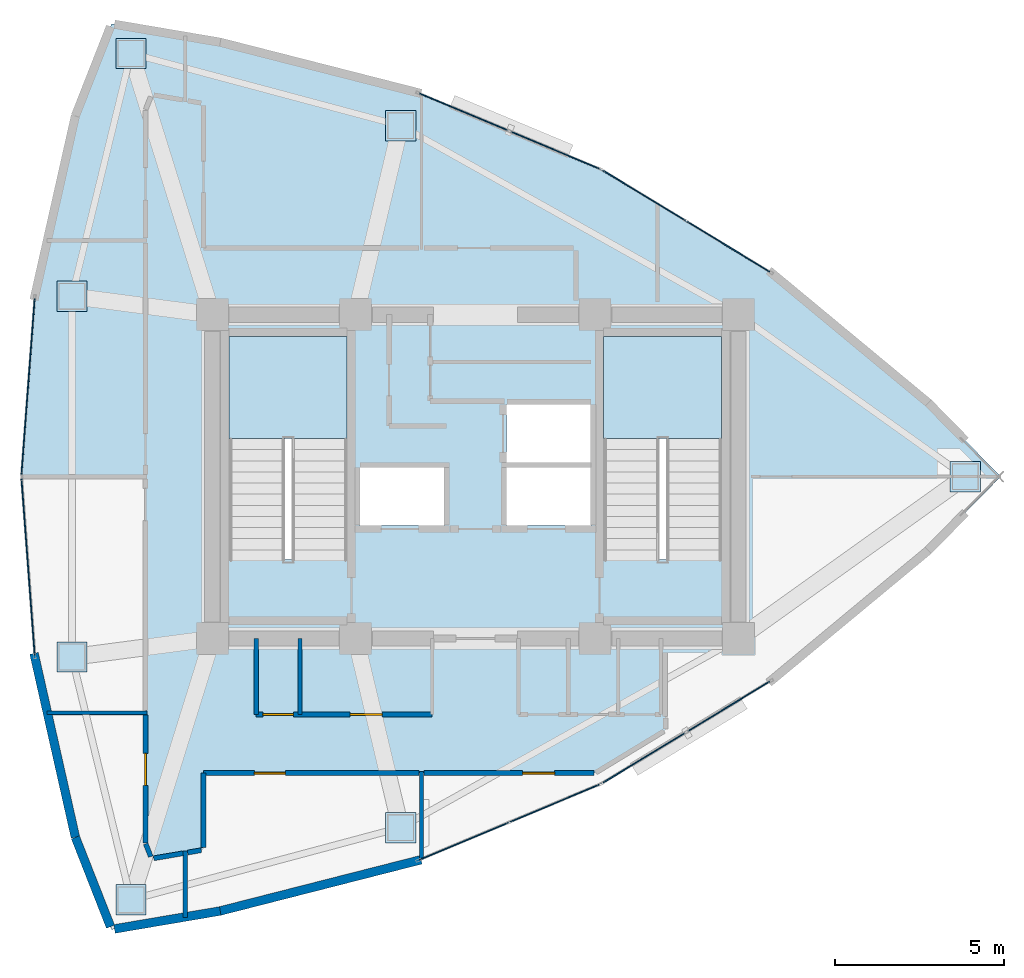
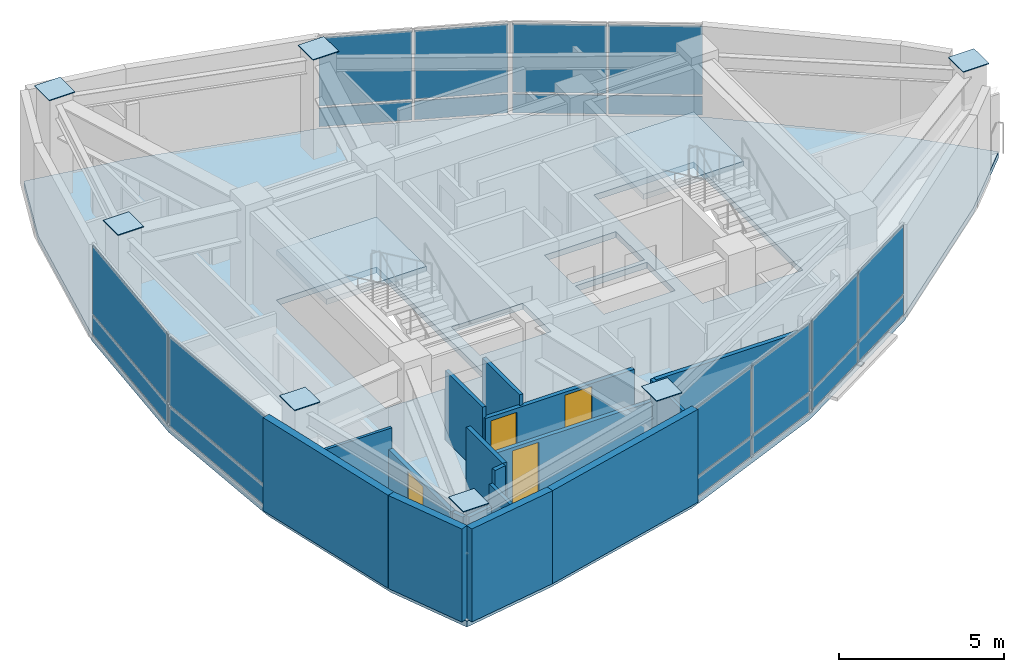
# One storey, part 11 of 15: 27 plates, 17 walls, 5 doors, 3 slabs, 5 openings, 8 elements without a shape of their own.
"""IFC4 building model written with IfcOpenShell, lengths in metres."""

import ifcopenshell
import ifcopenshell.guid

model = None  # the IFC model being written
_history = None  # IfcOwnerHistory: only IFC2X3 demands one
_inside = {}  # id of a spatial element -> (the spatial element, [elements in it])
_under = {}  # id of a project, library or spatial element -> (it, [spatial elements below it])
_declared = {}  # id of a project -> (the project, [libraries it declares])
_typed = {}  # id of a type object -> (the type object, [elements of that type])
_made_of = {}  # id of a material, layer set ... -> (it, [elements and type objects made of it])


def new_model(schema):
    """Start an empty IFC model of exactly this schema.

    Asked for "IFC4X3", IfcOpenShell would pick the latest addendum, in which some entities
    have other attributes; the version numbers below select the first issue.
    IFC2X3 requires an IfcOwnerHistory on every rooted entity: one is made here for all.
    """
    global model, _history
    if schema == "IFC4X3":
        model = ifcopenshell.file(schema_version=(4, 3, 0, 0))
    else:
        model = ifcopenshell.file(schema=schema)
    _inside.clear()
    _under.clear()
    _declared.clear()
    _typed.clear()
    _made_of.clear()
    _history = None
    if model.schema == "IFC2X3":
        org = make("IfcOrganization", Name="unknown")
        user = make(
            "IfcPersonAndOrganization",
            ThePerson=make("IfcPerson", FamilyName="unknown"),
            TheOrganization=org,
        )
        app = make(
            "IfcApplication",
            ApplicationDeveloper=org,
            Version="unknown",
            ApplicationFullName="unknown",
            ApplicationIdentifier="unknown",
        )
        _history = make(
            "IfcOwnerHistory",
            OwningUser=user,
            OwningApplication=app,
            ChangeAction="ADDED",
            CreationDate=0,
        )
    return model


def make(cls, **values):
    """One entity of the class cls with the attributes given. An attribute that is None is left unset."""
    return model.create_entity(
        cls, **{name: value for name, value in values.items() if value is not None}
    )


def rooted(cls, **values):
    """An entity with a GlobalId (a new one), such as an element, a storey or a relation."""
    return make(cls, GlobalId=ifcopenshell.guid.new(), OwnerHistory=_history, **values)


def si_unit(unit_type, name, prefix=None):
    """IfcSIUnit, for example si_unit("LENGTHUNIT", "METRE", prefix="MILLI")."""
    return make("IfcSIUnit", UnitType=unit_type, Prefix=prefix, Name=name)


def assignment(units):
    """IfcUnitAssignment: the units of a project."""
    return None if units is None else make("IfcUnitAssignment", Units=units)


def point(xyz):
    """IfcCartesianPoint."""
    return None if xyz is None else make("IfcCartesianPoint", Coordinates=xyz)


def direction(xyz):
    """IfcDirection."""
    return None if xyz is None else make("IfcDirection", DirectionRatios=xyz)


def frame(location, z_axis=None, x_axis=None):
    """IfcAxis2Placement3D, a coordinate frame: its origin and axes. An axis left out is left unset."""
    return make(
        "IfcAxis2Placement3D",
        Location=point(location),
        Axis=direction(z_axis),
        RefDirection=direction(x_axis),
    )


def frame_2d(location, x_axis=None):
    """IfcAxis2Placement2D, a coordinate frame in the plane: its origin and x axis."""
    return make(
        "IfcAxis2Placement2D", Location=point(location), RefDirection=direction(x_axis)
    )


def origin():
    """The frame at (0, 0, 0) with its axes left unset."""
    return frame((0.0, 0.0, 0.0))


def origin_2d():
    """The frame at (0, 0) in the plane with its x axis left unset."""
    return frame_2d((0.0, 0.0))


def place(relative_to, where):
    """IfcLocalPlacement: puts the frame where relative to a parent placement (None: the world)."""
    return make(
        "IfcLocalPlacement", PlacementRelTo=relative_to, RelativePlacement=where
    )


def context(
    kind, dimensions, precision=None, world=None, true_north=None, identifier=None
):
    """IfcGeometricRepresentationContext, for example the 3D "Model" context."""
    return make(
        "IfcGeometricRepresentationContext",
        ContextIdentifier=identifier,
        ContextType=kind,
        CoordinateSpaceDimension=dimensions,
        Precision=precision,
        WorldCoordinateSystem=world,
        TrueNorth=true_north,
    )


def subcontext(parent, identifier, kind, view, scale=None):
    """IfcGeometricRepresentationSubContext, for example "Body" below "Model"."""
    return make(
        "IfcGeometricRepresentationSubContext",
        ContextIdentifier=identifier,
        ContextType=kind,
        ParentContext=parent,
        TargetScale=scale,
        TargetView=view,
    )


def project(units=None, contexts=None):
    """IfcProject with its units and contexts."""
    return rooted(
        "IfcProject",
        Name="project",
        RepresentationContexts=contexts,
        UnitsInContext=assignment(units),
    )


def spatial(cls, under=None, at=None, **own):
    """A site, building, storey or space (cls), placed at a placement, below another one or the project."""
    s = rooted(cls, ObjectPlacement=at, **own)
    if under is not None:
        _under.setdefault(under.id(), (under, []))[1].append(s)
    return s


def polyline(points):
    """IfcPolyline through the points."""
    return make("IfcPolyline", Points=[point(p) for p in points])


def profile(cls, at=None, kind="AREA", **sizes):
    """A parametric profile (cls). Its sizes go by their IFC names, for example OverallWidth=200.0."""
    return make(cls, ProfileType=kind, Position=at, **sizes)


def rectangle(**sizes):
    """IfcRectangleProfileDef."""
    return profile("IfcRectangleProfileDef", **sizes)


def outline(outer, holes=None, kind="AREA"):
    """IfcArbitraryClosedProfileDef: a profile drawn as a closed curve; with holes, ...WithVoids."""
    if holes is None:
        return make("IfcArbitraryClosedProfileDef", ProfileType=kind, OuterCurve=outer)
    return make(
        "IfcArbitraryProfileDefWithVoids",
        ProfileType=kind,
        OuterCurve=outer,
        InnerCurves=holes,
    )


def extrude(swept, where, along, depth):
    """IfcExtrudedAreaSolid: the profile swept, set in the frame where, extruded along a direction by depth."""
    return make(
        "IfcExtrudedAreaSolid",
        SweptArea=swept,
        Position=where,
        ExtrudedDirection=direction(along),
        Depth=depth,
    )


def shape(context_of_items, identifier, shape_type, items):
    """IfcShapeRepresentation: the items that make up one representation, for example the "Body"."""
    return make(
        "IfcShapeRepresentation",
        ContextOfItems=context_of_items,
        RepresentationIdentifier=identifier,
        RepresentationType=shape_type,
        Items=items,
    )


def material(Name=None, Category=None):
    """IfcMaterial."""
    return make("IfcMaterial", Name=Name, Category=Category)


def layer(
    of_material, thickness, ventilated=None, Name=None, Category=None, Priority=None
):
    """IfcMaterialLayer: one layer of a wall or slab, of a material (None: an air gap)."""
    return make(
        "IfcMaterialLayer",
        Material=of_material,
        LayerThickness=thickness,
        IsVentilated=ventilated,
        Name=Name,
        Category=Category,
        Priority=Priority,
    )


def layer_set(layers, Name=None):
    """IfcMaterialLayerSet."""
    return make("IfcMaterialLayerSet", MaterialLayers=layers, LayerSetName=Name)


def made_of(thing, what):
    """Note that an element or type object is made of a material, layer set ...; save() writes the relation."""
    if what is not None:
        _made_of.setdefault(what.id(), (what, []))[1].append(thing)
    return thing


def type_object(cls, material=None, **own):
    """A type object (cls), such as IfcWallType, which elements share."""
    return made_of(rooted(cls, **own), material)


def element(
    cls,
    number,
    at=None,
    inside=None,
    cuts=None,
    type_object=None,
    material=None,
    context=None,
    identifier="Body",
    shape_type=None,
    held_by="IfcProductDefinitionShape",
    body=None,
    shapes=None,
    **own,
):
    """One element of the class cls, such as IfcWall. Its Tag is "e" and its number.

    at: its placement. inside: the storey or other place that contains it. cuts: it is an
    opening in that element (IfcRelVoidsElement). A single representation is given by context,
    identifier, shape_type and body (its items); several are given by shapes. held_by: the class
    of the entity that holds the representations. save() writes the other relations.
    """
    e = rooted(cls, Tag="e%d" % number, ObjectPlacement=at, **own)
    if body is not None:
        shapes = [shape(context, identifier, shape_type, body)]
    if shapes is not None:
        e.Representation = make(held_by, Representations=shapes)
    if inside is not None:
        _inside.setdefault(inside.id(), (inside, []))[1].append(e)
    if cuts is not None:
        rooted(
            "IfcRelVoidsElement", RelatingBuildingElement=cuts, RelatedOpeningElement=e
        )
    if type_object is not None:
        _typed.setdefault(type_object.id(), (type_object, []))[1].append(e)
    return made_of(e, material)


def fill(opening, filler):
    """IfcRelFillsElement: the door or window that sits in an opening."""
    return rooted(
        "IfcRelFillsElement",
        RelatingOpeningElement=opening,
        RelatedBuildingElement=filler,
    )


def aggregate(whole, parts):
    """IfcRelAggregates: a whole, such as a stair, and the parts it consists of."""
    return rooted("IfcRelAggregates", RelatingObject=whole, RelatedObjects=parts)


def save(model, path):
    """Write the relations noted so far, then the file.

    IfcRelAggregates (storeys below a building ...), IfcRelContainedInSpatialStructure (elements
    in a storey), IfcRelDefinesByType, IfcRelAssociatesMaterial and IfcRelDeclares: one each for
    every whole, place, type object, material and project.
    """
    for whole, parts in _under.values():
        aggregate(whole, parts)
    for where, things in _inside.values():
        rooted(
            "IfcRelContainedInSpatialStructure",
            RelatedElements=things,
            RelatingStructure=where,
        )
    for kind, things in _typed.values():
        rooted("IfcRelDefinesByType", RelatedObjects=things, RelatingType=kind)
    for what, things in _made_of.values():
        rooted("IfcRelAssociatesMaterial", RelatedObjects=things, RelatingMaterial=what)
    for by, libraries in _declared.values():
        rooted("IfcRelDeclares", RelatingContext=by, RelatedDefinitions=libraries)
    model.write(path)


model = new_model("IFC4")

# Units and contexts
model_context = context("Model", 3, precision=1e-05, world=origin(), true_north=direction((0.0, 1.0)))
body_context = subcontext(model_context, "Body", "Model", "MODEL_VIEW")
ifc_project = project(units=[si_unit("LENGTHUNIT", "METRE"), si_unit("AREAUNIT", "SQUARE_METRE"), si_unit("VOLUMEUNIT", "CUBIC_METRE"), si_unit("PLANEANGLEUNIT", "RADIAN"), si_unit("MASSUNIT", "GRAM", prefix="KILO")], contexts=[model_context])

# Site, building, storey
site_placement = place(None, origin())
site = spatial("IfcSite", under=ifc_project, at=site_placement, CompositionType="ELEMENT")
building_placement = place(site_placement, origin())
building = spatial("IfcBuilding", under=site, at=building_placement, Name="Menara Vayukalpa", CompositionType="ELEMENT")
storey_placement = place(building_placement, frame((0.0, 0.0, 295.5)))
storey = spatial("IfcBuildingStorey", under=building, at=storey_placement, Name="L75", CompositionType="ELEMENT", Elevation=295.5)

# Curtain wall, plates
ifc_material_1 = material(Name="Anodised Terracotta Aluminium Alloy 6063-T6", Category="masonry")
ifc_layer_1 = layer(ifc_material_1, 0.1650390625)
ifc_layer_set_1 = layer_set([ifc_layer_1], Name="Anodised Terracotta Aluminium Alloy 6063-T6")
curtain_wall_type = type_object("IfcCurtainWallType", Name="CW-CW6", PredefinedType="USERDEFINED", material=ifc_layer_set_1)
curtain_wall_1_placement = place(storey_placement, origin())
curtain_wall_1 = element("IfcCurtainWall", 1, at=curtain_wall_1_placement, inside=storey, type_object=curtain_wall_type, Name="L75 Observation and Executive Curtain Wall CW6 04", ObjectType="UNITISED", PredefinedType="USERDEFINED")
ifc_material_2 = material(Name="Low-E Double Glazing", Category="glass")
ifc_layer_2 = layer(ifc_material_2, 0.033935546875)
ifc_layer_set_2 = layer_set([ifc_layer_2], Name="Low-E Double Glazing")
plate_type_1 = type_object("IfcPlateType", Name="CWP-CW6", PredefinedType="CURTAIN_PANEL", material=ifc_layer_set_2)
plate_1_placement = place(storey_placement, frame((33.102783203125, 28.814208984375, 0.074951171875), z_axis=(0.0, 0.0, 1.0), x_axis=(-0.854667609532, 0.519175574558, 0.0)))
plate_1 = element("IfcPlate", 2, at=plate_1_placement, type_object=plate_type_1, Name="CW6 panel 1.1", PredefinedType="CURTAIN_PANEL", context=body_context, shape_type="SweptSolid", body=[
    extrude(rectangle(XDim=2.8486328125, YDim=0.033935546875, at=origin_2d()), origin(), (0.0, 0.0, 1.0), 0.6875),
])
plate_2_placement = place(storey_placement, frame((33.102783203125, 28.814208984375, 0.83740234375), z_axis=(0.0, 0.0, 1.0), x_axis=(-0.854667609532, 0.519175574558, 0.0)))
plate_2 = element("IfcPlate", 3, at=plate_2_placement, type_object=plate_type_1, Name="CW6 panel 1.2", PredefinedType="CURTAIN_PANEL", context=body_context, shape_type="SweptSolid", body=[
    extrude(rectangle(XDim=2.8486328125, YDim=0.033935546875, at=origin_2d()), origin(), (0.0, 0.0, 1.0), 2.527587890625),
])
plate_3_placement = place(storey_placement, frame((30.608154296875, 30.329345703125, 0.074951171875), z_axis=(0.0, 0.0, 1.0), x_axis=(-0.854667609532, 0.519175574558, 0.0)))
plate_3 = element("IfcPlate", 4, at=plate_3_placement, type_object=plate_type_1, Name="CW6 panel 2.1", PredefinedType="CURTAIN_PANEL", context=body_context, shape_type="SweptSolid", body=[
    extrude(rectangle(XDim=2.8486328125, YDim=0.033935546875, at=origin_2d()), origin(), (0.0, 0.0, 1.0), 0.6875),
])
plate_4_placement = place(storey_placement, frame((30.608154296875, 30.329345703125, 0.83740234375), z_axis=(0.0, 0.0, 1.0), x_axis=(-0.854667609532, 0.519175574558, 0.0)))
plate_4 = element("IfcPlate", 5, at=plate_4_placement, type_object=plate_type_1, Name="CW6 panel 2.2", PredefinedType="CURTAIN_PANEL", context=body_context, shape_type="SweptSolid", body=[
    extrude(rectangle(XDim=2.8486328125, YDim=0.033935546875, at=origin_2d()), origin(), (0.0, 0.0, 1.0), 2.527587890625),
])
aggregate(curtain_wall_1, [plate_1, plate_2, plate_3, plate_4])

curtain_wall_2_placement = place(storey_placement, origin())
curtain_wall_2 = element("IfcCurtainWall", 6, at=curtain_wall_2_placement, inside=storey, type_object=curtain_wall_type, Name="L75 Observation and Executive Curtain Wall CW6 05", ObjectType="UNITISED", PredefinedType="USERDEFINED")
plate_5_placement = place(storey_placement, frame((27.952392578125, 31.681884765625, 0.074951171875), z_axis=(0.0, 0.0, 1.0), x_axis=(-0.922540653927, 0.385899911703, 0.0)))
plate_5 = element("IfcPlate", 7, at=plate_5_placement, type_object=plate_type_1, Name="CW6 panel 1.1", PredefinedType="CURTAIN_PANEL", context=body_context, shape_type="SweptSolid", body=[
    extrude(rectangle(XDim=2.8486328125, YDim=0.033935546875, at=origin_2d()), origin(), (0.0, 0.0, 1.0), 0.6875),
])
plate_6_placement = place(storey_placement, frame((27.952392578125, 31.681884765625, 0.83740234375), z_axis=(0.0, 0.0, 1.0), x_axis=(-0.922540653927, 0.385899911703, 0.0)))
plate_6 = element("IfcPlate", 8, at=plate_6_placement, type_object=plate_type_1, Name="CW6 panel 1.2", PredefinedType="CURTAIN_PANEL", context=body_context, shape_type="SweptSolid", body=[
    extrude(rectangle(XDim=2.8486328125, YDim=0.033935546875, at=origin_2d()), origin(), (0.0, 0.0, 1.0), 2.527587890625),
])
plate_7_placement = place(storey_placement, frame((25.259765625, 32.808349609375, 0.074951171875), z_axis=(0.0, 0.0, 1.0), x_axis=(-0.922540653927, 0.385899911703, 0.0)))
plate_7 = element("IfcPlate", 9, at=plate_7_placement, type_object=plate_type_1, Name="CW6 panel 2.1", PredefinedType="CURTAIN_PANEL", context=body_context, shape_type="SweptSolid", body=[
    extrude(rectangle(XDim=2.8486328125, YDim=0.033935546875, at=origin_2d()), origin(), (0.0, 0.0, 1.0), 0.6875),
])
plate_8_placement = place(storey_placement, frame((25.259765625, 32.808349609375, 0.83740234375), z_axis=(0.0, 0.0, 1.0), x_axis=(-0.922540653927, 0.385899911703, 0.0)))
plate_8 = element("IfcPlate", 10, at=plate_8_placement, type_object=plate_type_1, Name="CW6 panel 2.2", PredefinedType="CURTAIN_PANEL", context=body_context, shape_type="SweptSolid", body=[
    extrude(rectangle(XDim=2.8486328125, YDim=0.033935546875, at=origin_2d()), origin(), (0.0, 0.0, 1.0), 2.527587890625),
])
aggregate(curtain_wall_2, [plate_5, plate_6, plate_7, plate_8])

curtain_wall_3_placement = place(storey_placement, origin())
curtain_wall_3 = element("IfcCurtainWall", 11, at=curtain_wall_3_placement, inside=storey, type_object=curtain_wall_type, Name="L75 Observation and Executive Curtain Wall CW6 10", ObjectType="UNITISED", PredefinedType="USERDEFINED")
plate_9_placement = place(storey_placement, frame((12.33837890625, 24.67333984375, 0.074951171875), z_axis=(0.0, 0.0, 1.0), x_axis=(-0.074789484574, -0.997199344663, 0.0)))
plate_9 = element("IfcPlate", 12, at=plate_9_placement, type_object=plate_type_1, Name="CW6 panel 1.1", PredefinedType="CURTAIN_PANEL", context=body_context, shape_type="SweptSolid", body=[
    extrude(rectangle(XDim=5.2216796875, YDim=0.033935546875, at=origin_2d()), origin(), (0.0, 0.0, 1.0), 0.6875),
])
plate_10_placement = place(storey_placement, frame((12.33837890625, 24.67333984375, 0.83740234375), z_axis=(0.0, 0.0, 1.0), x_axis=(-0.074789484574, -0.997199344663, 0.0)))
plate_10 = element("IfcPlate", 13, at=plate_10_placement, type_object=plate_type_1, Name="CW6 panel 1.2", PredefinedType="CURTAIN_PANEL", context=body_context, shape_type="SweptSolid", body=[
    extrude(rectangle(XDim=5.2216796875, YDim=0.033935546875, at=origin_2d()), origin(), (0.0, 0.0, 1.0), 2.527587890625),
])
aggregate(curtain_wall_3, [plate_9, plate_10])

curtain_wall_4_placement = place(storey_placement, origin())
curtain_wall_4 = element("IfcCurtainWall", 14, at=curtain_wall_4_placement, inside=storey, type_object=curtain_wall_type, Name="L75 Observation and Executive Curtain Wall CW6 11", ObjectType="UNITISED", PredefinedType="USERDEFINED")
plate_11_placement = place(storey_placement, frame((12.33837890625, 19.32666015625, 0.074951171875), z_axis=(0.0, 0.0, 1.0), x_axis=(0.074789484574, -0.997199344663, 0.0)))
plate_11 = element("IfcPlate", 15, at=plate_11_placement, type_object=plate_type_1, Name="CW6 panel 1.1", PredefinedType="CURTAIN_PANEL", context=body_context, shape_type="SweptSolid", body=[
    extrude(rectangle(XDim=5.2216796875, YDim=0.033935546875, at=origin_2d()), origin(), (0.0, 0.0, 1.0), 0.6875),
])
plate_12_placement = place(storey_placement, frame((12.33837890625, 19.32666015625, 0.83740234375), z_axis=(0.0, 0.0, 1.0), x_axis=(0.074789484574, -0.997199344663, 0.0)))
plate_12 = element("IfcPlate", 16, at=plate_12_placement, type_object=plate_type_1, Name="CW6 panel 1.2", PredefinedType="CURTAIN_PANEL", context=body_context, shape_type="SweptSolid", body=[
    extrude(rectangle(XDim=5.2216796875, YDim=0.033935546875, at=origin_2d()), origin(), (0.0, 0.0, 1.0), 2.527587890625),
])
aggregate(curtain_wall_4, [plate_11, plate_12])

curtain_wall_5_placement = place(storey_placement, origin())
curtain_wall_5 = element("IfcCurtainWall", 17, at=curtain_wall_5_placement, inside=storey, type_object=curtain_wall_type, Name="L75 Observation and Executive Curtain Wall CW6 16", ObjectType="UNITISED", PredefinedType="USERDEFINED")
plate_13_placement = place(storey_placement, frame((25.259765625, 11.191650390625, 0.074951171875), z_axis=(0.0, 0.0, 1.0), x_axis=(0.922540653927, 0.385899911703, 0.0)))
plate_13 = element("IfcPlate", 18, at=plate_13_placement, type_object=plate_type_1, Name="CW6 panel 1.1", PredefinedType="CURTAIN_PANEL", context=body_context, shape_type="SweptSolid", body=[
    extrude(rectangle(XDim=2.8486328125, YDim=0.033935546875, at=origin_2d()), origin(), (0.0, 0.0, 1.0), 0.6875),
])
plate_14_placement = place(storey_placement, frame((25.259765625, 11.191650390625, 0.83740234375), z_axis=(0.0, 0.0, 1.0), x_axis=(0.922540653927, 0.385899911703, 0.0)))
plate_14 = element("IfcPlate", 19, at=plate_14_placement, type_object=plate_type_1, Name="CW6 panel 1.2", PredefinedType="CURTAIN_PANEL", context=body_context, shape_type="SweptSolid", body=[
    extrude(rectangle(XDim=2.8486328125, YDim=0.033935546875, at=origin_2d()), origin(), (0.0, 0.0, 1.0), 2.527587890625),
])
plate_15_placement = place(storey_placement, frame((27.952392578125, 12.318115234375, 0.074951171875), z_axis=(0.0, 0.0, 1.0), x_axis=(0.922540653927, 0.385899911703, 0.0)))
plate_15 = element("IfcPlate", 20, at=plate_15_placement, type_object=plate_type_1, Name="CW6 panel 2.1", PredefinedType="CURTAIN_PANEL", context=body_context, shape_type="SweptSolid", body=[
    extrude(rectangle(XDim=2.8486328125, YDim=0.033935546875, at=origin_2d()), origin(), (0.0, 0.0, 1.0), 0.6875),
])
plate_16_placement = place(storey_placement, frame((27.952392578125, 12.318115234375, 0.83740234375), z_axis=(0.0, 0.0, 1.0), x_axis=(0.922540653927, 0.385899911703, 0.0)))
plate_16 = element("IfcPlate", 21, at=plate_16_placement, type_object=plate_type_1, Name="CW6 panel 2.2", PredefinedType="CURTAIN_PANEL", context=body_context, shape_type="SweptSolid", body=[
    extrude(rectangle(XDim=2.8486328125, YDim=0.033935546875, at=origin_2d()), origin(), (0.0, 0.0, 1.0), 2.527587890625),
])
aggregate(curtain_wall_5, [plate_13, plate_14, plate_15, plate_16])

curtain_wall_6_placement = place(storey_placement, origin())
curtain_wall_6 = element("IfcCurtainWall", 22, at=curtain_wall_6_placement, inside=storey, type_object=curtain_wall_type, Name="L75 Observation and Executive Curtain Wall CW6 17", ObjectType="UNITISED", PredefinedType="USERDEFINED")
plate_17_placement = place(storey_placement, frame((30.608154296875, 13.670654296875, 0.074951171875), z_axis=(0.0, 0.0, 1.0), x_axis=(0.854667609532, 0.519175574558, 0.0)))
plate_17 = element("IfcPlate", 23, at=plate_17_placement, type_object=plate_type_1, Name="CW6 panel 1.1", PredefinedType="CURTAIN_PANEL", context=body_context, shape_type="SweptSolid", body=[
    extrude(rectangle(XDim=2.8486328125, YDim=0.033935546875, at=origin_2d()), origin(), (0.0, 0.0, 1.0), 0.6875),
])
plate_18_placement = place(storey_placement, frame((30.608154296875, 13.670654296875, 0.83740234375), z_axis=(0.0, 0.0, 1.0), x_axis=(0.854667609532, 0.519175574558, 0.0)))
plate_18 = element("IfcPlate", 24, at=plate_18_placement, type_object=plate_type_1, Name="CW6 panel 1.2", PredefinedType="CURTAIN_PANEL", context=body_context, shape_type="SweptSolid", body=[
    extrude(rectangle(XDim=2.8486328125, YDim=0.033935546875, at=origin_2d()), origin(), (0.0, 0.0, 1.0), 2.527587890625),
])
plate_19_placement = place(storey_placement, frame((33.102783203125, 15.185791015625, 0.074951171875), z_axis=(0.0, 0.0, 1.0), x_axis=(0.854667609532, 0.519175574558, 0.0)))
plate_19 = element("IfcPlate", 25, at=plate_19_placement, type_object=plate_type_1, Name="CW6 panel 2.1", PredefinedType="CURTAIN_PANEL", context=body_context, shape_type="SweptSolid", body=[
    extrude(rectangle(XDim=2.8486328125, YDim=0.033935546875, at=origin_2d()), origin(), (0.0, 0.0, 1.0), 0.6875),
])
plate_20_placement = place(storey_placement, frame((33.102783203125, 15.185791015625, 0.83740234375), z_axis=(0.0, 0.0, 1.0), x_axis=(0.854667609532, 0.519175574558, 0.0)))
plate_20 = element("IfcPlate", 26, at=plate_20_placement, type_object=plate_type_1, Name="CW6 panel 2.2", PredefinedType="CURTAIN_PANEL", context=body_context, shape_type="SweptSolid", body=[
    extrude(rectangle(XDim=2.8486328125, YDim=0.033935546875, at=origin_2d()), origin(), (0.0, 0.0, 1.0), 2.527587890625),
])
aggregate(curtain_wall_6, [plate_17, plate_18, plate_19, plate_20])

# Plates
ifc_material_3 = material(Name="Steel S355", Category="steel")
ifc_layer_3 = layer(ifc_material_3, 0.030029296875)
ifc_layer_set_3 = layer_set([ifc_layer_3], Name="Steel S355")
plate_type_2 = type_object("IfcPlateType", Name="PLT-MCP2", PredefinedType="USERDEFINED", material=ifc_layer_set_3)
for number, where, z_axis, x_axis, name in (
    (27, (40.121826171875, 22.0, 3.72021484375), (0.0, 0.0, 1.0), (1.0, 0.0, 0.0), "L75 Perimeter Mega Column P01 Transition Cap Plate"),
    (28, (23.3818359375, 32.40478515625, 3.72021484375), (0.0, 0.0, 1.0), (1.0, 0.0, 0.0), "L75 Perimeter Mega Column P03 Transition Cap Plate"),
    (29, (15.38916015625, 34.544677734375, 3.72021484375), (0.0, 0.0, 1.0), (1.0, 0.0, 0.0), "L75 Perimeter Mega Column P04 Transition Cap Plate"),
    (30, (13.638916015625, 27.3466796875, 3.72021484375), (0.0, 0.0, 1.0), (1.0, 0.0, 0.0), "L75 Perimeter Mega Column P05 Transition Cap Plate"),
    (31, (13.638916015625, 16.6533203125, 3.72021484375), (0.0, 0.0, 1.0), (1.0, 0.0, 0.0), "L75 Perimeter Mega Column P06 Transition Cap Plate"),
    (32, (15.38916015625, 9.455322265625, 3.72021484375), (0.0, 0.0, 1.0), (1.0, 0.0, 0.0), "L75 Perimeter Mega Column P07 Transition Cap Plate"),
    (33, (23.3818359375, 11.59521484375, 3.72021484375), (0.0, 0.0, 1.0), (1.0, 0.0, 0.0), "L75 Perimeter Mega Column P08 Transition Cap Plate"),
):
    element("IfcPlate", number, at=place(storey_placement, frame(where, z_axis=z_axis, x_axis=x_axis)), inside=storey, type_object=plate_type_2, Name=name, ObjectType="CAP_PLATE", PredefinedType="USERDEFINED", context=body_context, shape_type="SweptSolid", body=[
        extrude(rectangle(XDim=0.89990234375, YDim=0.89990234375, at=origin_2d()), origin(), (0.0, 0.0, 1.0), 0.030029296875),
    ])

# Slab
ifc_material_4 = material(Name="Concrete C40/50", Category="concrete")
ifc_layer_4 = layer(ifc_material_4, 0.219970703125)
ifc_layer_set_4 = layer_set([ifc_layer_4], Name="Concrete C40/50")
slab_type_1 = type_object("IfcSlabType", Name="SLB-FL220", PredefinedType="FLOOR", material=ifc_layer_set_4)
slab_1_placement = place(storey_placement, frame((0.0, 0.0, -0.219970703125)))
element("IfcSlab", 34, at=slab_1_placement, inside=storey, type_object=slab_type_1, Name="L75 Structural Floor Slab", PredefinedType="FLOOR", context=body_context, shape_type="SweptSolid", body=[
    extrude(outline(polyline([(39.02783203125, 19.816162109375), (41.171875, 22.0), (39.02783203125, 24.183837890625), (34.3798828125, 28.038330078125), (29.3310546875, 31.105224609375), (23.881103515625, 33.385009765625), (18.0302734375, 34.877197265625), (14.814208984375, 35.423095703125), (13.741943359375, 32.693359375), (12.5390625, 27.3466796875), (12.137939453125, 22.0), (12.5390625, 16.6533203125), (13.741943359375, 11.306640625), (14.814208984375, 8.576904296875), (18.0302734375, 9.122802734375), (23.881103515625, 10.614990234375), (29.3310546875, 12.894775390625), (34.3798828125, 15.961669921875), (39.02783203125, 19.816162109375)]), holes=[polyline([(21.800048828125, 19.550048828125), (21.800048828125, 26.14990234375), (18.300048828125, 26.14990234375), (18.300048828125, 19.550048828125), (21.800048828125, 19.550048828125)]), polyline([(32.89990234375, 19.550048828125), (32.89990234375, 26.14990234375), (29.39990234375, 26.14990234375), (29.39990234375, 19.550048828125), (32.89990234375, 19.550048828125)]), polyline([(22.179931640625, 20.550048828125), (24.679931640625, 20.550048828125), (24.679931640625, 22.27001953125), (22.179931640625, 22.27001953125), (22.179931640625, 20.550048828125)]), polyline([(26.52001953125, 20.550048828125), (29.02001953125, 20.550048828125), (29.02001953125, 22.27001953125), (26.52001953125, 22.27001953125), (26.52001953125, 20.550048828125)]), polyline([(26.52001953125, 22.419921875), (29.02001953125, 22.419921875), (29.02001953125, 24.139892578125), (26.52001953125, 24.139892578125), (26.52001953125, 22.419921875)])]), origin(), (0.0, 0.0, 1.0), 0.219970703125),
])

# Stair, slab
ifc_material_5 = material(Name="Precast Concrete C40/50", Category="concrete")
stair_type = type_object("IfcStairType", Name="STR-T04", PredefinedType="DOUBLE_RETURN_STAIR", material=ifc_material_5)
stair_1_placement = place(storey_placement, origin())
stair_1 = element("IfcStair", 35, at=stair_1_placement, inside=storey, type_object=stair_type, Name="L75 Core Exit Stair ST-1", PredefinedType="DOUBLE_RETURN_STAIR")
ifc_material_6 = material(Name="Precast Concrete C40/50", Category="concrete")
ifc_layer_5 = layer(ifc_material_6, 0.199951171875)
ifc_layer_set_5 = layer_set([ifc_layer_5], Name="Precast Concrete C40/50")
slab_type_2 = type_object("IfcSlabType", Name="SLB-LND200", PredefinedType="LANDING", material=ifc_layer_set_5)
slab_2_placement = place(storey_placement, frame((0.0, 0.0, 1.659912109375)))
slab_2 = element("IfcSlab", 36, at=slab_2_placement, type_object=slab_type_2, Name="ST-1 landing 1", PredefinedType="LANDING", context=body_context, shape_type="SweptSolid", body=[
    extrude(outline(polyline([(21.800048828125, 23.1298828125), (21.800048828125, 26.14990234375), (18.300048828125, 26.14990234375), (18.300048828125, 23.1298828125), (21.800048828125, 23.1298828125)])), origin(), (0.0, 0.0, 1.0), 0.2001953125),
])
aggregate(stair_1, [slab_2])

stair_2_placement = place(storey_placement, origin())
stair_2 = element("IfcStair", 37, at=stair_2_placement, inside=storey, type_object=stair_type, Name="L75 Core Exit Stair ST-2", PredefinedType="DOUBLE_RETURN_STAIR")
slab_3_placement = place(storey_placement, frame((0.0, 0.0, 1.659912109375)))
slab_3 = element("IfcSlab", 38, at=slab_3_placement, type_object=slab_type_2, Name="ST-2 landing 1", PredefinedType="LANDING", context=body_context, shape_type="SweptSolid", body=[
    extrude(outline(polyline([(32.89990234375, 23.1298828125), (32.89990234375, 26.14990234375), (29.39990234375, 26.14990234375), (29.39990234375, 23.1298828125), (32.89990234375, 23.1298828125)])), origin(), (0.0, 0.0, 1.0), 0.2001953125),
])
aggregate(stair_2, [slab_3])

# Walls
ifc_material_7 = material(Name="Insulated Precast Concrete C40/50", Category="concrete")
ifc_layer_6 = layer(ifc_material_7, 0.260009765625)
ifc_layer_set_6 = layer_set([ifc_layer_6], Name="Insulated Precast Concrete C40/50")
wall_type_1 = type_object("IfcWallType", Name="WAL-EXT260", PredefinedType="PARTITIONING", material=ifc_layer_set_6)
wall_1_placement = place(storey_placement, frame((13.741943359375, 11.306640625, 0.0), z_axis=(0.0, 0.0, 1.0), x_axis=(-0.219500763731, 0.97561232809, 0.0)))
element("IfcWall", 39, at=wall_1_placement, inside=storey, type_object=wall_type_1, Name="L75 Perimeter Terracotta Pier Wall 12", PredefinedType="PARTITIONING", context=body_context, shape_type="SweptSolid", body=[
    extrude(rectangle(XDim=5.590087890625, YDim=0.260009765625, at=frame_2d((2.794921875, 0.0))), origin(), (0.0, 0.0, 1.0), 3.43994140625),
])
wall_2_placement = place(storey_placement, frame((14.7822265625, 8.658203125, 0.0), z_axis=(0.0, 0.0, 1.0), x_axis=(-0.36559927932, 0.930772349697, 0.0)))
element("IfcWall", 40, at=wall_2_placement, inside=storey, type_object=wall_type_1, Name="L75 Perimeter Terracotta Pier Wall 13", PredefinedType="PARTITIONING", context=body_context, shape_type="SweptSolid", body=[
    extrude(rectangle(XDim=2.845458984375, YDim=0.260009765625, at=frame_2d((1.4228515625, 0.0))), origin(), (0.0, 0.0, 1.0), 3.43994140625),
])
wall_3_placement = place(storey_placement, frame((18.0361328125, 9.123779296875, 0.0), z_axis=(0.0, 0.0, 1.0), x_axis=(-0.985889432766, -0.167397808709, 0.0)))
element("IfcWall", 41, at=wall_3_placement, inside=storey, type_object=wall_type_1, Name="L75 Perimeter Terracotta Pier Wall 14", PredefinedType="PARTITIONING", context=body_context, shape_type="SweptSolid", body=[
    extrude(rectangle(XDim=3.180908203125, YDim=0.260009765625, at=frame_2d((1.59033203125, 0.0))), origin(), (0.0, 0.0, 1.0), 3.43994140625),
])
wall_4_placement = place(storey_placement, frame((23.98779296875, 10.64208984375, 0.0), z_axis=(0.0, 0.0, 1.0), x_axis=(-0.968988278672, -0.247106689096, 0.0)))
element("IfcWall", 42, at=wall_4_placement, inside=storey, type_object=wall_type_1, Name="L75 Perimeter Terracotta Pier Wall 15", PredefinedType="PARTITIONING", context=body_context, shape_type="SweptSolid", body=[
    extrude(rectangle(XDim=6.154296875, YDim=0.260009765625, at=frame_2d((3.0771484375, 0.0))), origin(), (0.0, 0.0, 1.0), 3.43994140625),
])
ifc_material_8 = material(Name="Glazed Demountable Office Partition", Category="glass")
ifc_layer_7 = layer(ifc_material_8, 0.094970703125)
ifc_layer_set_7 = layer_set([ifc_layer_7], Name="Glazed Demountable Office Partition")
wall_type_2 = type_object("IfcWallType", Name="WAL-PT100", PredefinedType="PARTITIONING", material=ifc_layer_set_7)
wall_5_placement = place(storey_placement, frame((12.900634765625, 15.0, 0.0), z_axis=(0.0, 0.0, 1.0), x_axis=(1.0, 0.0, 0.0)))
element("IfcWall", 43, at=wall_5_placement, inside=storey, type_object=wall_type_2, Name="L75 Interior Partition IW-L75-RDIV06", PredefinedType="PARTITIONING", context=body_context, shape_type="SweptSolid", body=[
    extrude(rectangle(XDim=2.969482421875, YDim=0.094970703125, at=frame_2d((1.48486328125, 0.0))), origin(), (0.0, 0.0, 1.0), 2.919921875),
])
ifc_material_9 = material(Name="Acoustic Mineral Stud Partition", Category="masonry")
ifc_layer_8 = layer(ifc_material_9, 0.110107421875)
ifc_layer_set_8 = layer_set([ifc_layer_8], Name="Acoustic Mineral Stud Partition")
wall_type_3 = type_object("IfcWallType", Name="WAL-PT110", PredefinedType="PARTITIONING", material=ifc_layer_set_8)
wall_6_placement = place(storey_placement, frame((24.0, 10.65380859375, 0.0), z_axis=(0.0, 0.0, 1.0), x_axis=(0.0, 1.0, 0.0)))
element("IfcWall", 44, at=wall_6_placement, inside=storey, type_object=wall_type_3, Name="L75 Interior Partition IW-L75-RDIV03", PredefinedType="PARTITIONING", context=body_context, shape_type="SweptSolid", body=[
    extrude(rectangle(XDim=2.606201171875, YDim=0.110107421875, at=frame_2d((1.30322265625, 0.0))), origin(), (0.0, 0.0, 1.0), 2.919921875),
])
ifc_material_10 = material(Name="Gypsum Drywall Steel Stud Assembly", Category="steel")
ifc_layer_9 = layer(ifc_material_10, 0.125)
ifc_layer_set_9 = layer_set([ifc_layer_9], Name="Gypsum Drywall Steel Stud Assembly")
wall_type_4 = type_object("IfcWallType", Name="WAL-PT125", PredefinedType="PARTITIONING", material=ifc_layer_set_9)
for number, where, z_axis, x_axis, name in (
    (45, (19.10009765625, 14.949951171875, 0.0), (0.0, 0.0, 1.0), (0.0, 1.0, 0.0), "L75 Interior Partition IW-L75-SVCD-01"),
    (46, (20.39990234375, 14.949951171875, 0.0), (0.0, 0.0, 1.0), (0.0, 1.0, 0.0), "L75 Interior Partition IW-L75-SVCD-02"),
):
    element("IfcWall", number, at=place(storey_placement, frame(where, z_axis=z_axis, x_axis=x_axis)), inside=storey, type_object=wall_type_4, Name=name, PredefinedType="PARTITIONING", context=body_context, shape_type="SweptSolid", body=[
        extrude(rectangle(XDim=2.25, YDim=0.125, at=frame_2d((1.125, 0.0))), origin(), (0.0, 0.0, 1.0), 2.570068359375),
    ])
wall_7_placement = place(storey_placement, frame((17.0, 8.937744140625, 0.0), z_axis=(0.0, 0.0, 1.0), x_axis=(0.0, 1.0, 0.0)))
element("IfcWall", 47, at=wall_7_placement, inside=storey, type_object=wall_type_4, Name="L75 Interior Partition IW-L75-RDIV01", PredefinedType="PARTITIONING", context=body_context, shape_type="SweptSolid", body=[
    extrude(rectangle(XDim=1.957763671875, YDim=0.125, at=frame_2d((0.97900390625, 0.0))), origin(), (0.0, 0.0, 1.0), 2.919921875),
])

# Wall, openings, doors
ifc_material_11 = material(Name="Gypsum Drywall Acoustic Stud Assembly", Category="masonry")
ifc_layer_10 = layer(ifc_material_11, 0.14501953125)
ifc_layer_set_10 = layer_set([ifc_layer_10], Name="Gypsum Drywall Acoustic Stud Assembly")
wall_type_5 = type_object("IfcWallType", Name="WAL-PT150", PredefinedType="PARTITIONING", material=ifc_layer_set_10)
wall_8_placement = place(storey_placement, frame((19.10009765625, 14.949951171875, 0.0), z_axis=(0.0, 0.0, 1.0), x_axis=(1.0, 0.0, 0.0)))
wall_8 = element("IfcWall", 48, at=wall_8_placement, inside=storey, type_object=wall_type_5, Name="L75 Interior Partition IW-L75-SVCS-W", PredefinedType="PARTITIONING", context=body_context, shape_type="SweptSolid", body=[
    extrude(rectangle(XDim=5.219970703125, YDim=0.14501953125, at=frame_2d((2.60986328125, 0.0))), origin(), (0.0, 0.0, 1.0), 2.169921875),
])
opening_1_placement = place(wall_8_placement, frame((0.199951171875, 0.0, 0.0)))
opening_1 = element("IfcOpeningElement", 49, at=opening_1_placement, cuts=wall_8, Name="Opening ID7", PredefinedType="OPENING", context=body_context, shape_type="SweptSolid", body=[
    extrude(rectangle(XDim=0.89990234375, YDim=2.02001953125, at=frame_2d((0.449951171875, 1.010009765625))), frame((0.0, 0.08251953125, 0.0), z_axis=(0.0, -1.0, 0.0), x_axis=(1.0, 0.0, 0.0)), (0.0, 0.0, 1.0), 0.1650390625),
])
opening_2_placement = place(wall_8_placement, frame((2.784912109375, 0.0, 0.0)))
opening_2 = element("IfcOpeningElement", 50, at=opening_2_placement, cuts=wall_8, Name="Opening ID5", PredefinedType="OPENING", context=body_context, shape_type="SweptSolid", body=[
    extrude(rectangle(XDim=0.949951171875, YDim=2.06005859375, at=frame_2d((0.47509765625, 1.030029296875))), frame((0.0, 0.08251953125, 0.0), z_axis=(0.0, -1.0, 0.0), x_axis=(1.0, 0.0, 0.0)), (0.0, 0.0, 1.0), 0.1650390625),
])
ifc_material_12 = material(Name="Acoustic Hardwood Veneer Timber Door", Category="wood")
door_type_1 = type_object("IfcDoorType", Name="DR-INT95", OperationType="NOTDEFINED", PredefinedType="DOOR", material=ifc_material_12)
door_1_placement = place(opening_2_placement, origin())
door_1 = element("IfcDoor", 51, at=door_1_placement, inside=storey, type_object=door_type_1, Name="L75 Interior Door DR-L75-AWC", OperationType="SINGLE_SWING_LEFT", OverallHeight=2.06005859375, OverallWidth=0.949951171875, PredefinedType="DOOR", context=body_context, shape_type="SweptSolid", body=[
    extrude(rectangle(XDim=0.949951171875, YDim=2.06005859375, at=frame_2d((0.47509765625, 1.030029296875))), frame((0.0, 0.02490234375, 0.0), z_axis=(0.0, -1.0, 0.0), x_axis=(1.0, 0.0, 0.0)), (0.0, 0.0, 1.0), 0.050048828125),
])
fill(opening_2, door_1)
ifc_material_13 = material(Name="Powder-Coated Steel Riser Access Door", Category="steel")
door_type_2 = type_object("IfcDoorType", Name="DR-RISER", OperationType="NOTDEFINED", PredefinedType="DOOR", material=ifc_material_13)
door_2_placement = place(opening_1_placement, origin())
door_2 = element("IfcDoor", 52, at=door_2_placement, inside=storey, type_object=door_type_2, Name="L75 Interior Door DR-L75-ELR", OperationType="SINGLE_SWING_RIGHT", OverallHeight=2.02001953125, OverallWidth=0.89990234375, PredefinedType="DOOR", context=body_context, shape_type="SweptSolid", body=[
    extrude(rectangle(XDim=0.89990234375, YDim=2.02001953125, at=frame_2d((0.449951171875, 1.010009765625))), frame((0.0, 0.02490234375, 0.0), z_axis=(0.0, -1.0, 0.0), x_axis=(1.0, 0.0, 0.0)), (0.0, 0.0, 1.0), 0.050048828125),
])
fill(opening_1, door_2)

# Wall, opening, door
wall_9_placement = place(storey_placement, frame((15.820068359375, 14.929931640625, 0.0), z_axis=(0.0, 0.0, 1.0), x_axis=(0.0, -1.0, 0.0)))
wall_9 = element("IfcWall", 53, at=wall_9_placement, inside=storey, type_object=wall_type_5, Name="L75 Interior Partition IW-L75-CRM03-1", PredefinedType="PARTITIONING", context=body_context, shape_type="SweptSolid", body=[
    extrude(rectangle(XDim=3.78369140625, YDim=0.14501953125, at=frame_2d((1.891845703125, 0.0))), origin(), (0.0, 0.0, 1.0), 2.169921875),
])
opening_3_placement = place(wall_9_placement, frame((1.1328125, 0.0, 0.0)))
opening_3 = element("IfcOpeningElement", 54, at=opening_3_placement, cuts=wall_9, Name="Opening ID5", PredefinedType="OPENING", context=body_context, shape_type="SweptSolid", body=[
    extrude(rectangle(XDim=0.949951171875, YDim=2.06005859375, at=frame_2d((0.47509765625, 1.030029296875))), frame((0.0, 0.08251953125, 0.0), z_axis=(0.0, -1.0, 0.0), x_axis=(1.0, 0.0, 0.0)), (0.0, 0.0, 1.0), 0.1650390625),
])
door_3_placement = place(opening_3_placement, origin())
door_3 = element("IfcDoor", 55, at=door_3_placement, inside=storey, type_object=door_type_1, Name="L75 Interior Door DR-L75-RM03", OperationType="SINGLE_SWING_RIGHT", OverallHeight=2.06005859375, OverallWidth=0.949951171875, PredefinedType="DOOR", context=body_context, shape_type="SweptSolid", body=[
    extrude(rectangle(XDim=0.949951171875, YDim=2.06005859375, at=frame_2d((0.47509765625, 1.030029296875))), frame((0.0, 0.02490234375, 0.0), z_axis=(0.0, -1.0, 0.0), x_axis=(1.0, 0.0, 0.0)), (0.0, 0.0, 1.0), 0.050048828125),
])
fill(opening_3, door_3)

# Walls
wall_10_placement = place(storey_placement, frame((15.825439453125, 11.116943359375, 0.0), z_axis=(0.0, 0.0, 1.0), x_axis=(0.365633948196, -0.930758731319, 0.0)))
element("IfcWall", 56, at=wall_10_placement, inside=storey, type_object=wall_type_5, Name="L75 Interior Partition IW-L75-CRM03-2", PredefinedType="PARTITIONING", context=body_context, shape_type="SweptSolid", body=[
    extrude(rectangle(XDim=0.409912109375, YDim=0.14501953125, at=frame_2d((0.205078125, 0.0))), origin(), (0.0, 0.0, 1.0), 2.169921875),
])
wall_11_placement = place(storey_placement, frame((16.063232421875, 10.685546875, 0.0), z_axis=(0.0, 0.0, 1.0), x_axis=(0.985878779942, 0.167460536424, 0.0)))
element("IfcWall", 57, at=wall_11_placement, inside=storey, type_object=wall_type_5, Name="L75 Interior Partition IW-L75-CRM03-3", PredefinedType="PARTITIONING", context=body_context, shape_type="SweptSolid", body=[
    extrude(rectangle(XDim=0.879150390625, YDim=0.14501953125, at=frame_2d((0.439453125, 0.0))), origin(), (0.0, 0.0, 1.0), 2.169921875),
])
wall_12_placement = place(storey_placement, frame((17.070068359375, 10.8564453125, 0.0), z_axis=(0.0, 0.0, 1.0), x_axis=(0.985840066474, 0.167688292179, 0.0)))
element("IfcWall", 58, at=wall_12_placement, inside=storey, type_object=wall_type_5, Name="L75 Interior Partition IW-L75-CRM04-1", PredefinedType="PARTITIONING", context=body_context, shape_type="SweptSolid", body=[
    extrude(rectangle(XDim=0.4091796875, YDim=0.14501953125, at=frame_2d((0.20458984375, 0.0))), origin(), (0.0, 0.0, 1.0), 3.43994140625),
])
wall_13_placement = place(storey_placement, frame((17.5400390625, 11.00390625, 0.0), z_axis=(0.0, 0.0, 1.0), x_axis=(0.0, 1.0, 0.0)))
element("IfcWall", 59, at=wall_13_placement, inside=storey, type_object=wall_type_5, Name="L75 Interior Partition IW-L75-CRM04-2", PredefinedType="PARTITIONING", context=body_context, shape_type="SweptSolid", body=[
    extrude(rectangle(XDim=2.2060546875, YDim=0.14501953125, at=frame_2d((1.10302734375, 0.0))), origin(), (0.0, 0.0, 1.0), 3.43994140625),
])

# Wall, opening, door
wall_14_placement = place(storey_placement, frame((17.5400390625, 13.2099609375, 0.0), z_axis=(0.0, 0.0, 1.0), x_axis=(1.0, 0.0, 0.0)))
wall_14 = element("IfcWall", 60, at=wall_14_placement, inside=storey, type_object=wall_type_5, Name="L75 Interior Partition IW-L75-CRM04-3", PredefinedType="PARTITIONING", context=body_context, shape_type="SweptSolid", body=[
    extrude(rectangle(XDim=6.389892578125, YDim=0.14501953125, at=frame_2d((3.19482421875, 0.0))), origin(), (0.0, 0.0, 1.0), 2.169921875),
])
opening_4_placement = place(wall_14_placement, frame((1.507568359375, 0.0, 0.0)))
opening_4 = element("IfcOpeningElement", 61, at=opening_4_placement, cuts=wall_14, Name="Opening ID6", PredefinedType="OPENING", context=body_context, shape_type="SweptSolid", body=[
    extrude(rectangle(XDim=0.919921875, YDim=2.050048828125, at=frame_2d((0.4599609375, 1.02490234375))), frame((0.0, 0.08251953125, 0.0), z_axis=(0.0, -1.0, 0.0), x_axis=(1.0, 0.0, 0.0)), (0.0, 0.0, 1.0), 0.1650390625),
])
ifc_material_14 = material(Name="Acoustic Hardwood Veneer Timber Door", Category="wood")
door_type_3 = type_object("IfcDoorType", Name="DR-INT92", OperationType="NOTDEFINED", PredefinedType="DOOR", material=ifc_material_14)
door_4_placement = place(opening_4_placement, origin())
door_4 = element("IfcDoor", 62, at=door_4_placement, inside=storey, type_object=door_type_3, Name="L75 Interior Door DR-L75-RM04", OperationType="SINGLE_SWING_LEFT", OverallHeight=2.050048828125, OverallWidth=0.919921875, PredefinedType="DOOR", context=body_context, shape_type="SweptSolid", body=[
    extrude(rectangle(XDim=0.919921875, YDim=2.050048828125, at=frame_2d((0.4599609375, 1.02490234375))), frame((0.0, 0.02490234375, 0.0), z_axis=(0.0, -1.0, 0.0), x_axis=(1.0, 0.0, 0.0)), (0.0, 0.0, 1.0), 0.050048828125),
])
fill(opening_4, door_4)

wall_15_placement = place(storey_placement, frame((24.070068359375, 13.2099609375, 0.0), z_axis=(0.0, 0.0, 1.0), x_axis=(1.0, 0.0, 0.0)))
wall_15 = element("IfcWall", 63, at=wall_15_placement, inside=storey, type_object=wall_type_5, Name="L75 Interior Partition IW-L75-CRM05-1", PredefinedType="PARTITIONING", context=body_context, shape_type="SweptSolid", body=[
    extrude(rectangle(XDim=5.039794921875, YDim=0.14501953125, at=frame_2d((2.52001953125, 0.0))), origin(), (0.0, 0.0, 1.0), 2.919921875),
])
opening_5_placement = place(wall_15_placement, frame((2.927490234375, 0.0, 0.0)))
opening_5 = element("IfcOpeningElement", 64, at=opening_5_placement, cuts=wall_15, Name="Opening ID5", PredefinedType="OPENING", context=body_context, shape_type="SweptSolid", body=[
    extrude(rectangle(XDim=0.949951171875, YDim=2.06005859375, at=frame_2d((0.47509765625, 1.030029296875))), frame((0.0, 0.08251953125, 0.0), z_axis=(0.0, -1.0, 0.0), x_axis=(1.0, 0.0, 0.0)), (0.0, 0.0, 1.0), 0.1650390625),
])
door_5_placement = place(opening_5_placement, origin())
door_5 = element("IfcDoor", 65, at=door_5_placement, inside=storey, type_object=door_type_1, Name="L75 Interior Door DR-L75-RM05", OperationType="SINGLE_SWING_RIGHT", OverallHeight=2.06005859375, OverallWidth=0.949951171875, PredefinedType="DOOR", context=body_context, shape_type="SweptSolid", body=[
    extrude(rectangle(XDim=0.949951171875, YDim=2.06005859375, at=frame_2d((0.47509765625, 1.030029296875))), frame((0.0, 0.02490234375, 0.0), z_axis=(0.0, -1.0, 0.0), x_axis=(1.0, 0.0, 0.0)), (0.0, 0.0, 1.0), 0.050048828125),
])
fill(opening_5, door_5)

save(model, "model.ifc")
